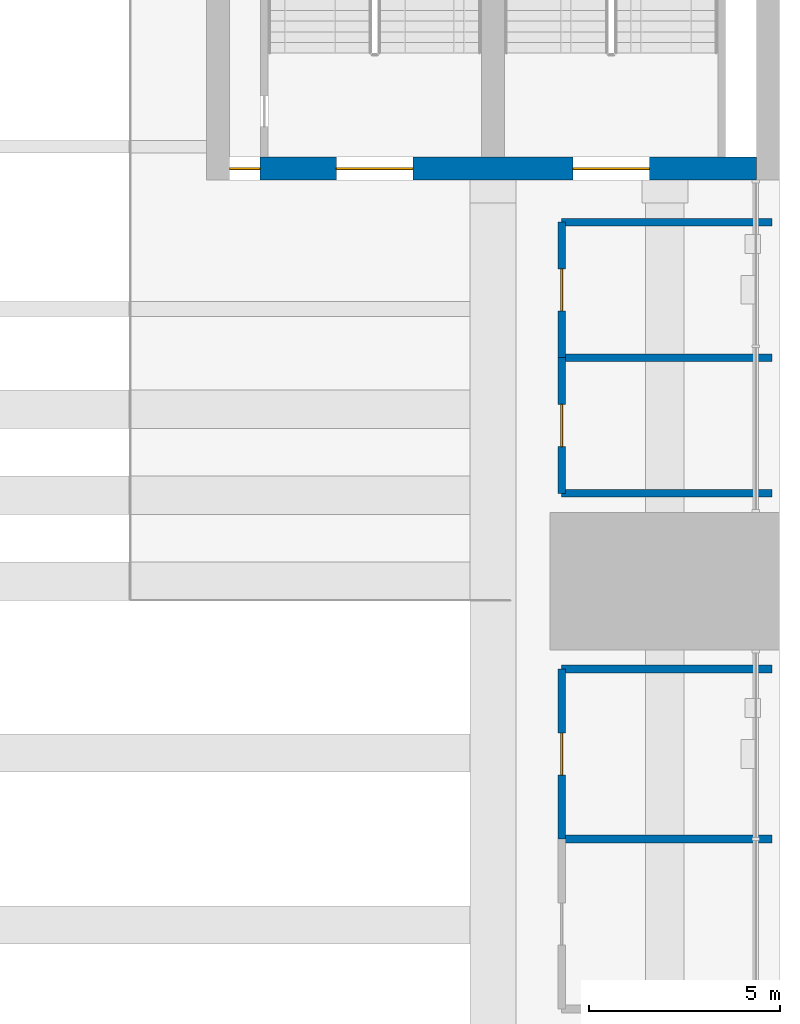
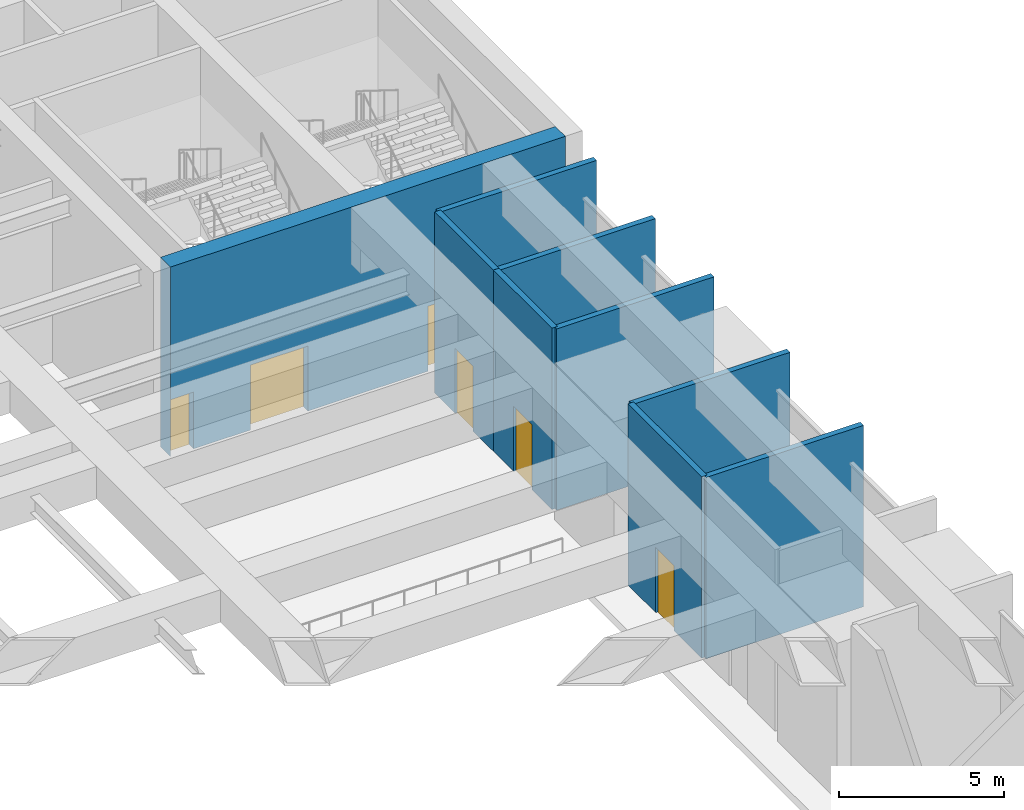
# One storey, part 29 of 45: 9 walls, 6 doors, 6 openings.
"""IFC4 building model written with IfcOpenShell, lengths in metres."""

import ifcopenshell
import ifcopenshell.guid

model = None  # the IFC model being written
_history = None  # IfcOwnerHistory: only IFC2X3 demands one
_inside = {}  # id of a spatial element -> (the spatial element, [elements in it])
_under = {}  # id of a project, library or spatial element -> (it, [spatial elements below it])
_declared = {}  # id of a project -> (the project, [libraries it declares])
_typed = {}  # id of a type object -> (the type object, [elements of that type])
_made_of = {}  # id of a material, layer set ... -> (it, [elements and type objects made of it])


def new_model(schema):
    """Start an empty IFC model of exactly this schema.

    Asked for "IFC4X3", IfcOpenShell would pick the latest addendum, in which some entities
    have other attributes; the version numbers below select the first issue.
    IFC2X3 requires an IfcOwnerHistory on every rooted entity: one is made here for all.
    """
    global model, _history
    if schema == "IFC4X3":
        model = ifcopenshell.file(schema_version=(4, 3, 0, 0))
    else:
        model = ifcopenshell.file(schema=schema)
    _inside.clear()
    _under.clear()
    _declared.clear()
    _typed.clear()
    _made_of.clear()
    _history = None
    if model.schema == "IFC2X3":
        org = make("IfcOrganization", Name="unknown")
        user = make(
            "IfcPersonAndOrganization",
            ThePerson=make("IfcPerson", FamilyName="unknown"),
            TheOrganization=org,
        )
        app = make(
            "IfcApplication",
            ApplicationDeveloper=org,
            Version="unknown",
            ApplicationFullName="unknown",
            ApplicationIdentifier="unknown",
        )
        _history = make(
            "IfcOwnerHistory",
            OwningUser=user,
            OwningApplication=app,
            ChangeAction="ADDED",
            CreationDate=0,
        )
    return model


def make(cls, **values):
    """One entity of the class cls with the attributes given. An attribute that is None is left unset."""
    return model.create_entity(
        cls, **{name: value for name, value in values.items() if value is not None}
    )


def rooted(cls, **values):
    """An entity with a GlobalId (a new one), such as an element, a storey or a relation."""
    return make(cls, GlobalId=ifcopenshell.guid.new(), OwnerHistory=_history, **values)


def si_unit(unit_type, name, prefix=None):
    """IfcSIUnit, for example si_unit("LENGTHUNIT", "METRE", prefix="MILLI")."""
    return make("IfcSIUnit", UnitType=unit_type, Prefix=prefix, Name=name)


def assignment(units):
    """IfcUnitAssignment: the units of a project."""
    return None if units is None else make("IfcUnitAssignment", Units=units)


def point(xyz):
    """IfcCartesianPoint."""
    return None if xyz is None else make("IfcCartesianPoint", Coordinates=xyz)


def direction(xyz):
    """IfcDirection."""
    return None if xyz is None else make("IfcDirection", DirectionRatios=xyz)


def frame(location, z_axis=None, x_axis=None):
    """IfcAxis2Placement3D, a coordinate frame: its origin and axes. An axis left out is left unset."""
    return make(
        "IfcAxis2Placement3D",
        Location=point(location),
        Axis=direction(z_axis),
        RefDirection=direction(x_axis),
    )


def frame_2d(location, x_axis=None):
    """IfcAxis2Placement2D, a coordinate frame in the plane: its origin and x axis."""
    return make(
        "IfcAxis2Placement2D", Location=point(location), RefDirection=direction(x_axis)
    )


def origin():
    """The frame at (0, 0, 0) with its axes left unset."""
    return frame((0.0, 0.0, 0.0))


def place(relative_to, where):
    """IfcLocalPlacement: puts the frame where relative to a parent placement (None: the world)."""
    return make(
        "IfcLocalPlacement", PlacementRelTo=relative_to, RelativePlacement=where
    )


def context(
    kind, dimensions, precision=None, world=None, true_north=None, identifier=None
):
    """IfcGeometricRepresentationContext, for example the 3D "Model" context."""
    return make(
        "IfcGeometricRepresentationContext",
        ContextIdentifier=identifier,
        ContextType=kind,
        CoordinateSpaceDimension=dimensions,
        Precision=precision,
        WorldCoordinateSystem=world,
        TrueNorth=true_north,
    )


def subcontext(parent, identifier, kind, view, scale=None):
    """IfcGeometricRepresentationSubContext, for example "Body" below "Model"."""
    return make(
        "IfcGeometricRepresentationSubContext",
        ContextIdentifier=identifier,
        ContextType=kind,
        ParentContext=parent,
        TargetScale=scale,
        TargetView=view,
    )


def project(units=None, contexts=None):
    """IfcProject with its units and contexts."""
    return rooted(
        "IfcProject",
        Name="project",
        RepresentationContexts=contexts,
        UnitsInContext=assignment(units),
    )


def spatial(cls, under=None, at=None, **own):
    """A site, building, storey or space (cls), placed at a placement, below another one or the project."""
    s = rooted(cls, ObjectPlacement=at, **own)
    if under is not None:
        _under.setdefault(under.id(), (under, []))[1].append(s)
    return s


def profile(cls, at=None, kind="AREA", **sizes):
    """A parametric profile (cls). Its sizes go by their IFC names, for example OverallWidth=200.0."""
    return make(cls, ProfileType=kind, Position=at, **sizes)


def rectangle(**sizes):
    """IfcRectangleProfileDef."""
    return profile("IfcRectangleProfileDef", **sizes)


def extrude(swept, where, along, depth):
    """IfcExtrudedAreaSolid: the profile swept, set in the frame where, extruded along a direction by depth."""
    return make(
        "IfcExtrudedAreaSolid",
        SweptArea=swept,
        Position=where,
        ExtrudedDirection=direction(along),
        Depth=depth,
    )


def shape(context_of_items, identifier, shape_type, items):
    """IfcShapeRepresentation: the items that make up one representation, for example the "Body"."""
    return make(
        "IfcShapeRepresentation",
        ContextOfItems=context_of_items,
        RepresentationIdentifier=identifier,
        RepresentationType=shape_type,
        Items=items,
    )


def material(Name=None, Category=None):
    """IfcMaterial."""
    return make("IfcMaterial", Name=Name, Category=Category)


def layer(
    of_material, thickness, ventilated=None, Name=None, Category=None, Priority=None
):
    """IfcMaterialLayer: one layer of a wall or slab, of a material (None: an air gap)."""
    return make(
        "IfcMaterialLayer",
        Material=of_material,
        LayerThickness=thickness,
        IsVentilated=ventilated,
        Name=Name,
        Category=Category,
        Priority=Priority,
    )


def layer_set(layers, Name=None):
    """IfcMaterialLayerSet."""
    return make("IfcMaterialLayerSet", MaterialLayers=layers, LayerSetName=Name)


def made_of(thing, what):
    """Note that an element or type object is made of a material, layer set ...; save() writes the relation."""
    if what is not None:
        _made_of.setdefault(what.id(), (what, []))[1].append(thing)
    return thing


def type_object(cls, material=None, **own):
    """A type object (cls), such as IfcWallType, which elements share."""
    return made_of(rooted(cls, **own), material)


def element(
    cls,
    number,
    at=None,
    inside=None,
    cuts=None,
    type_object=None,
    material=None,
    context=None,
    identifier="Body",
    shape_type=None,
    held_by="IfcProductDefinitionShape",
    body=None,
    shapes=None,
    **own,
):
    """One element of the class cls, such as IfcWall. Its Tag is "e" and its number.

    at: its placement. inside: the storey or other place that contains it. cuts: it is an
    opening in that element (IfcRelVoidsElement). A single representation is given by context,
    identifier, shape_type and body (its items); several are given by shapes. held_by: the class
    of the entity that holds the representations. save() writes the other relations.
    """
    e = rooted(cls, Tag="e%d" % number, ObjectPlacement=at, **own)
    if body is not None:
        shapes = [shape(context, identifier, shape_type, body)]
    if shapes is not None:
        e.Representation = make(held_by, Representations=shapes)
    if inside is not None:
        _inside.setdefault(inside.id(), (inside, []))[1].append(e)
    if cuts is not None:
        rooted(
            "IfcRelVoidsElement", RelatingBuildingElement=cuts, RelatedOpeningElement=e
        )
    if type_object is not None:
        _typed.setdefault(type_object.id(), (type_object, []))[1].append(e)
    return made_of(e, material)


def fill(opening, filler):
    """IfcRelFillsElement: the door or window that sits in an opening."""
    return rooted(
        "IfcRelFillsElement",
        RelatingOpeningElement=opening,
        RelatedBuildingElement=filler,
    )


def aggregate(whole, parts):
    """IfcRelAggregates: a whole, such as a stair, and the parts it consists of."""
    return rooted("IfcRelAggregates", RelatingObject=whole, RelatedObjects=parts)


def save(model, path):
    """Write the relations noted so far, then the file.

    IfcRelAggregates (storeys below a building ...), IfcRelContainedInSpatialStructure (elements
    in a storey), IfcRelDefinesByType, IfcRelAssociatesMaterial and IfcRelDeclares: one each for
    every whole, place, type object, material and project.
    """
    for whole, parts in _under.values():
        aggregate(whole, parts)
    for where, things in _inside.values():
        rooted(
            "IfcRelContainedInSpatialStructure",
            RelatedElements=things,
            RelatingStructure=where,
        )
    for kind, things in _typed.values():
        rooted("IfcRelDefinesByType", RelatedObjects=things, RelatingType=kind)
    for what, things in _made_of.values():
        rooted("IfcRelAssociatesMaterial", RelatedObjects=things, RelatingMaterial=what)
    for by, libraries in _declared.values():
        rooted("IfcRelDeclares", RelatingContext=by, RelatedDefinitions=libraries)
    model.write(path)


model = new_model("IFC4")

# Units and contexts
model_context = context("Model", 3, precision=1e-05, world=origin(), true_north=direction((0.0, 1.0)))
body_context = subcontext(model_context, "Body", "Model", "MODEL_VIEW")
ifc_project = project(units=[si_unit("LENGTHUNIT", "METRE"), si_unit("AREAUNIT", "SQUARE_METRE"), si_unit("VOLUMEUNIT", "CUBIC_METRE"), si_unit("PLANEANGLEUNIT", "RADIAN"), si_unit("MASSUNIT", "GRAM", prefix="KILO")], contexts=[model_context])

# Site, building, storey
site_placement = place(None, origin())
site = spatial("IfcSite", under=ifc_project, at=site_placement, CompositionType="ELEMENT")
building_placement = place(site_placement, origin())
building = spatial("IfcBuilding", under=site, at=building_placement, Name="Corbelhall Arena Tower", CompositionType="ELEMENT")
storey_placement = place(building_placement, frame((0.0, 0.0, 37.0)))
storey = spatial("IfcBuildingStorey", under=building, at=storey_placement, Name="L05", CompositionType="ELEMENT", Elevation=37.0)

# Wall
ifc_material_1 = material(Name="Gypsum board on steel studs", Category="steel")
ifc_layer_1 = layer(ifc_material_1, 0.199951171875)
ifc_layer_set_1 = layer_set([ifc_layer_1], Name="AR-ROOM-WALL")
wall_type_1 = type_object("IfcWallType", Name="AR-ROOM-WALL", PredefinedType="PARTITIONING", material=ifc_layer_set_1)
wall_1_placement = place(storey_placement, frame((42.300048828125, 6.75, 0.0), z_axis=(0.0, 0.0, 1.0), x_axis=(1.0, 0.0, 0.0)))
element("IfcWall", 1, at=wall_1_placement, inside=storey, type_object=wall_type_1, Name="Press office 1 partition", PredefinedType="PARTITIONING", context=body_context, shape_type="SweptSolid", body=[
    extrude(rectangle(XDim=5.5, YDim=0.199951171875, at=frame_2d((2.75, 0.0))), origin(), (0.0, 0.0, 1.0), 6.699951171875),
])

# Wall, opening, door
wall_2_placement = place(storey_placement, frame((42.300048828125, 6.75, 0.0), z_axis=(0.0, 0.0, 1.0), x_axis=(0.0, 1.0, 0.0)))
wall_2 = element("IfcWall", 2, at=wall_2_placement, inside=storey, type_object=wall_type_1, Name="Accessible WC 1 wall", PredefinedType="PARTITIONING", context=body_context, shape_type="SweptSolid", body=[
    extrude(rectangle(XDim=4.449951171875, YDim=0.199951171875, at=frame_2d((2.22509765625, 0.0))), origin(), (0.0, 0.0, 1.0), 6.699951171875),
])
opening_1_placement = place(wall_2_placement, frame((1.675048828125, 0.0, 0.0)))
opening_1 = element("IfcOpeningElement", 3, at=opening_1_placement, cuts=wall_2, Name="Opening DA0440", PredefinedType="OPENING", context=body_context, shape_type="SweptSolid", body=[
    extrude(rectangle(XDim=1.10009765625, YDim=2.39990234375, at=frame_2d((0.550048828125, 1.199951171875))), frame((0.0, 0.10009765625, 0.0), z_axis=(0.0, -1.0, 0.0), x_axis=(1.0, 0.0, 0.0)), (0.0, 0.0, 1.0), 0.199951171875),
])
ifc_material_2 = material(Name="Timber", Category="wood")
door_type_1 = type_object("IfcDoorType", Name="AR-ROOM-DOOR", OperationType="DOUBLE_DOOR_SINGLE_SWING", PredefinedType="DOOR", material=ifc_material_2)
door_1_placement = place(opening_1_placement, origin())
door_1 = element("IfcDoor", 4, at=door_1_placement, inside=storey, type_object=door_type_1, Name="Accessible WC 1 door", OperationType="DOUBLE_DOOR_SINGLE_SWING", OverallHeight=2.39990234375, OverallWidth=1.10009765625, PredefinedType="DOOR", context=body_context, shape_type="SweptSolid", body=[
    extrude(rectangle(XDim=1.10009765625, YDim=2.39990234375, at=frame_2d((0.550048828125, 1.199951171875))), frame((0.0, 0.02490234375, 0.0), z_axis=(0.0, -1.0, 0.0), x_axis=(1.0, 0.0, 0.0)), (0.0, 0.0, 1.0), 0.050048828125),
])
fill(opening_1, door_1)

# Wall
wall_3_placement = place(storey_placement, frame((42.300048828125, 11.199951171875, 0.0), z_axis=(0.0, 0.0, 1.0), x_axis=(1.0, 0.0, 0.0)))
element("IfcWall", 5, at=wall_3_placement, inside=storey, type_object=wall_type_1, Name="Accessible WC 1 end wall", PredefinedType="PARTITIONING", context=body_context, shape_type="SweptSolid", body=[
    extrude(rectangle(XDim=5.5, YDim=0.199951171875, at=frame_2d((2.75, 0.0))), origin(), (0.0, 0.0, 1.0), 6.699951171875),
])

# Wall, opening, door
wall_4_placement = place(storey_placement, frame((42.300048828125, 15.800048828125, 0.0), z_axis=(0.0, 0.0, 1.0), x_axis=(0.0, 1.0, 0.0)))
wall_4 = element("IfcWall", 6, at=wall_4_placement, inside=storey, type_object=wall_type_1, Name="Press workspace 1 wall", PredefinedType="PARTITIONING", context=body_context, shape_type="SweptSolid", body=[
    extrude(rectangle(XDim=3.550048828125, YDim=0.199951171875, at=frame_2d((1.77490234375, 0.0))), origin(), (0.0, 0.0, 1.0), 6.699951171875),
])
opening_2_placement = place(wall_4_placement, frame((1.22509765625, 0.0, 0.0)))
opening_2 = element("IfcOpeningElement", 7, at=opening_2_placement, cuts=wall_4, Name="Opening DA0443", PredefinedType="OPENING", context=body_context, shape_type="SweptSolid", body=[
    extrude(rectangle(XDim=1.10009765625, YDim=2.39990234375, at=frame_2d((0.550048828125, 1.199951171875))), frame((0.0, 0.10009765625, 0.0), z_axis=(0.0, -1.0, 0.0), x_axis=(1.0, 0.0, 0.0)), (0.0, 0.0, 1.0), 0.199951171875),
])
door_2_placement = place(opening_2_placement, origin())
door_2 = element("IfcDoor", 8, at=door_2_placement, inside=storey, type_object=door_type_1, Name="Press workspace 1 door", OperationType="DOUBLE_DOOR_SINGLE_SWING", OverallHeight=2.39990234375, OverallWidth=1.10009765625, PredefinedType="DOOR", context=body_context, shape_type="SweptSolid", body=[
    extrude(rectangle(XDim=1.10009765625, YDim=2.39990234375, at=frame_2d((0.550048828125, 1.199951171875))), frame((0.0, 0.02490234375, 0.0), z_axis=(0.0, -1.0, 0.0), x_axis=(1.0, 0.0, 0.0)), (0.0, 0.0, 1.0), 0.050048828125),
])
fill(opening_2, door_2)

# Walls
for number, where, z_axis, x_axis, name in (
    (9, (42.300048828125, 15.800048828125, 0.0), (0.0, 0.0, 1.0), (1.0, 0.0, 0.0), "Press workspace 1 end wall"),
    (10, (42.300048828125, 19.35009765625, 0.0), (0.0, 0.0, 1.0), (1.0, 0.0, 0.0), "Press workspace 1 partition"),
):
    element("IfcWall", number, at=place(storey_placement, frame(where, z_axis=z_axis, x_axis=x_axis)), inside=storey, type_object=wall_type_1, Name=name, PredefinedType="PARTITIONING", context=body_context, shape_type="SweptSolid", body=[
        extrude(rectangle(XDim=5.5, YDim=0.199951171875, at=frame_2d((2.75, 0.0))), origin(), (0.0, 0.0, 1.0), 6.699951171875),
    ])

# Wall, opening, door
wall_5_placement = place(storey_placement, frame((42.300048828125, 19.35009765625, 0.0), z_axis=(0.0, 0.0, 1.0), x_axis=(0.0, 1.0, 0.0)))
wall_5 = element("IfcWall", 11, at=wall_5_placement, inside=storey, type_object=wall_type_1, Name="Accessible WC 2 wall", PredefinedType="PARTITIONING", context=body_context, shape_type="SweptSolid", body=[
    extrude(rectangle(XDim=3.5498046875, YDim=0.199951171875, at=frame_2d((1.77490234375, 0.0))), origin(), (0.0, 0.0, 1.0), 6.699951171875),
])
opening_3_placement = place(wall_5_placement, frame((1.22509765625, 0.0, 0.0)))
opening_3 = element("IfcOpeningElement", 12, at=opening_3_placement, cuts=wall_5, Name="Opening DA0444", PredefinedType="OPENING", context=body_context, shape_type="SweptSolid", body=[
    extrude(rectangle(XDim=1.10009765625, YDim=2.39990234375, at=frame_2d((0.550048828125, 1.199951171875))), frame((0.0, 0.10009765625, 0.0), z_axis=(0.0, -1.0, 0.0), x_axis=(1.0, 0.0, 0.0)), (0.0, 0.0, 1.0), 0.199951171875),
])
door_3_placement = place(opening_3_placement, origin())
door_3 = element("IfcDoor", 13, at=door_3_placement, inside=storey, type_object=door_type_1, Name="Accessible WC 2 door", OperationType="DOUBLE_DOOR_SINGLE_SWING", OverallHeight=2.39990234375, OverallWidth=1.10009765625, PredefinedType="DOOR", context=body_context, shape_type="SweptSolid", body=[
    extrude(rectangle(XDim=1.10009765625, YDim=2.39990234375, at=frame_2d((0.550048828125, 1.199951171875))), frame((0.0, 0.02490234375, 0.0), z_axis=(0.0, -1.0, 0.0), x_axis=(1.0, 0.0, 0.0)), (0.0, 0.0, 1.0), 0.050048828125),
])
fill(opening_3, door_3)

# Wall
wall_6_placement = place(storey_placement, frame((42.300048828125, 22.89990234375, 0.0), z_axis=(0.0, 0.0, 1.0), x_axis=(1.0, 0.0, 0.0)))
element("IfcWall", 14, at=wall_6_placement, inside=storey, type_object=wall_type_1, Name="Accessible WC 2 end wall", PredefinedType="PARTITIONING", context=body_context, shape_type="SweptSolid", body=[
    extrude(rectangle(XDim=5.5, YDim=0.199951171875, at=frame_2d((2.75, 0.0))), origin(), (0.0, 0.0, 1.0), 6.699951171875),
])

# Wall, openings, doors
ifc_material_3 = material(Name="Concrete C80/95", Category="concrete")
ifc_layer_2 = layer(ifc_material_3, 0.60009765625)
ifc_layer_set_2 = layer_set([ifc_layer_2], Name="PO-CORE-WALL")
wall_type_2 = type_object("IfcWallType", Name="PO-CORE-WALL", PredefinedType="SHEAR", material=ifc_layer_set_2)
wall_7_placement = place(storey_placement, frame((33.60009765625, 24.300048828125, 0.0), z_axis=(0.0, 0.0, 1.0), x_axis=(1.0, 0.0, 0.0)))
wall_7 = element("IfcWall", 15, at=wall_7_placement, inside=storey, type_object=wall_type_2, Name="CORE NE WALL S L05", PredefinedType="SHEAR", context=body_context, shape_type="SweptSolid", body=[
    extrude(rectangle(XDim=13.7998046875, YDim=0.60009765625, at=frame_2d((6.89990234375, 0.0))), origin(), (0.0, 0.0, 1.0), 7.0),
])
opening_4_placement = place(wall_7_placement, frame((2.804931640625, 0.0, 0.0)))
opening_4 = element("IfcOpeningElement", 16, at=opening_4_placement, cuts=wall_7, Name="Opening DA0058", PredefinedType="OPENING", context=body_context, shape_type="SweptSolid", body=[
    extrude(rectangle(XDim=2.0, YDim=2.39990234375, at=frame_2d((1.0, 1.199951171875))), frame((0.0, 0.300048828125, 0.0), z_axis=(0.0, -1.0, 0.0), x_axis=(1.0, 0.0, 0.0)), (0.0, 0.0, 1.0), 0.60009765625),
])
opening_5_placement = place(wall_7_placement, frame((8.9951171875, 0.0, 0.0)))
opening_5 = element("IfcOpeningElement", 17, at=opening_5_placement, cuts=wall_7, Name="Opening DA0066", PredefinedType="OPENING", context=body_context, shape_type="SweptSolid", body=[
    extrude(rectangle(XDim=2.0, YDim=2.39990234375, at=frame_2d((1.0, 1.199951171875))), frame((0.0, 0.300048828125, 0.0), z_axis=(0.0, -1.0, 0.0), x_axis=(1.0, 0.0, 0.0)), (0.0, 0.0, 1.0), 0.60009765625),
])
opening_6_placement = place(wall_7_placement, frame((0.0048828125, 0.0, 0.0)))
opening_6 = element("IfcOpeningElement", 18, at=opening_6_placement, cuts=wall_7, Name="Opening DA0475", PredefinedType="OPENING", context=body_context, shape_type="SweptSolid", body=[
    extrude(rectangle(XDim=0.800048828125, YDim=2.10009765625, at=frame_2d((0.39990234375, 1.050048828125))), frame((0.0, 0.300048828125, 0.0), z_axis=(0.0, -1.0, 0.0), x_axis=(1.0, 0.0, 0.0)), (0.0, 0.0, 1.0), 0.60009765625),
])
ifc_material_4 = material(Name="Steel", Category="steel")
door_type_2 = type_object("IfcDoorType", Name="AR-PLANT-DOOR", OperationType="SINGLE_SWING_LEFT", PredefinedType="DOOR", material=ifc_material_4)
door_4_placement = place(opening_6_placement, origin())
door_4 = element("IfcDoor", 19, at=door_4_placement, inside=storey, type_object=door_type_2, Name="Electrical plant room 01 door", OperationType="SINGLE_SWING_LEFT", OverallHeight=2.10009765625, OverallWidth=0.800048828125, PredefinedType="DOOR", context=body_context, shape_type="SweptSolid", body=[
    extrude(rectangle(XDim=0.800048828125, YDim=2.10009765625, at=frame_2d((0.39990234375, 1.050048828125))), frame((0.0, 0.02490234375, 0.0), z_axis=(0.0, -1.0, 0.0), x_axis=(1.0, 0.0, 0.0)), (0.0, 0.0, 1.0), 0.050048828125),
])
fill(opening_6, door_4)
ifc_material_5 = material(Name="Steel and glass", Category="steel")
door_type_3 = type_object("IfcDoorType", Name="AR-STAIR-DOOR", OperationType="DOUBLE_DOOR_SINGLE_SWING", PredefinedType="DOOR", material=ifc_material_5)
door_5_placement = place(opening_4_placement, origin())
door_5 = element("IfcDoor", 20, at=door_5_placement, inside=storey, type_object=door_type_3, Name="Stair AS1 door", OperationType="DOUBLE_DOOR_SINGLE_SWING", OverallHeight=2.39990234375, OverallWidth=2.0, PredefinedType="DOOR", context=body_context, shape_type="SweptSolid", body=[
    extrude(rectangle(XDim=2.0, YDim=2.39990234375, at=frame_2d((1.0, 1.199951171875))), frame((0.0, 0.02490234375, 0.0), z_axis=(0.0, -1.0, 0.0), x_axis=(1.0, 0.0, 0.0)), (0.0, 0.0, 1.0), 0.050048828125),
])
fill(opening_4, door_5)
door_6_placement = place(opening_5_placement, origin())
door_6 = element("IfcDoor", 21, at=door_6_placement, inside=storey, type_object=door_type_3, Name="Stair AS2 door", OperationType="DOUBLE_DOOR_SINGLE_SWING", OverallHeight=2.39990234375, OverallWidth=2.0, PredefinedType="DOOR", context=body_context, shape_type="SweptSolid", body=[
    extrude(rectangle(XDim=2.0, YDim=2.39990234375, at=frame_2d((1.0, 1.199951171875))), frame((0.0, 0.02490234375, 0.0), z_axis=(0.0, -1.0, 0.0), x_axis=(1.0, 0.0, 0.0)), (0.0, 0.0, 1.0), 0.050048828125),
])
fill(opening_5, door_6)

save(model, "model.ifc")
